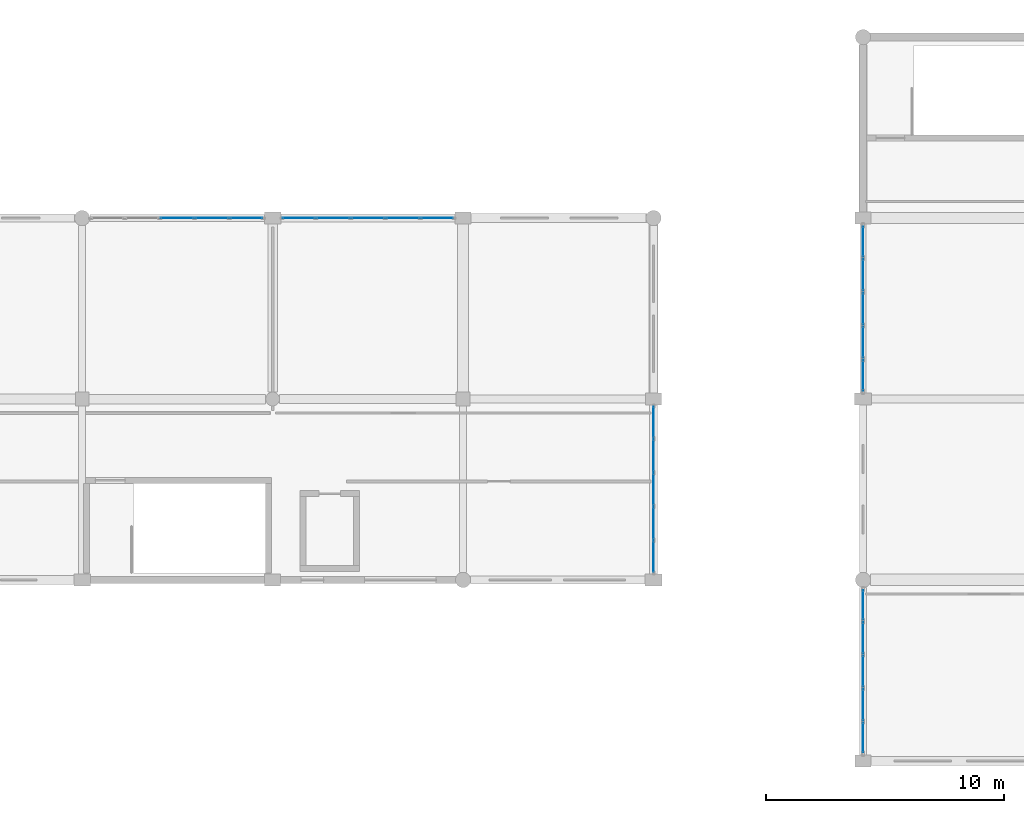
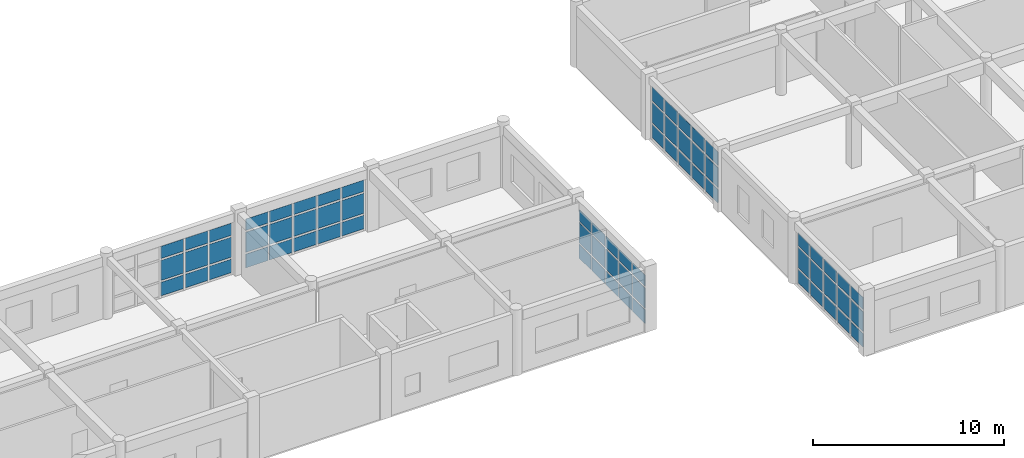
# One storey, part 93 of 121: 69 plates, 5 elements without a shape of their own.
"""IFC4 building model written with IfcOpenShell, lengths in metres."""

from ifc_helpers import new_model, si_unit, direction, frame, origin, origin_2d, place, context, subcontext, project, spatial, rectangle, extrude, material, layer, layer_set, type_object, element, aggregate, save


model = new_model("IFC4")

# Units and contexts
model_context = context("Model", 3, precision=1e-05, world=origin(), true_north=direction((0.0, 1.0)))
body_context = subcontext(model_context, "Body", "Model", "MODEL_VIEW")
ifc_project = project(units=[si_unit("LENGTHUNIT", "METRE"), si_unit("AREAUNIT", "SQUARE_METRE"), si_unit("VOLUMEUNIT", "CUBIC_METRE"), si_unit("PLANEANGLEUNIT", "RADIAN"), si_unit("MASSUNIT", "GRAM", prefix="KILO")], contexts=[model_context])

# Site, building, storey
site_placement = place(None, origin())
site = spatial("IfcSite", under=ifc_project, at=site_placement, CompositionType="ELEMENT")
building_placement = place(site_placement, origin())
building = spatial("IfcBuilding", under=site, at=building_placement, Name="Kharva Crest Polytechnic", CompositionType="ELEMENT")
storey_placement = place(building_placement, frame((0.0, 0.0, 13.199951171875)))
storey = spatial("IfcBuildingStorey", under=building, at=storey_placement, Name="L03", CompositionType="ELEMENT", Elevation=13.199951171875)

# Curtain wall, plates
ifc_material = material(Name="Tempered insulated glass", Category="glass")
curtain_wall_type_1 = type_object("IfcCurtainWallType", Name="CW-SYS-COURT", PredefinedType="USERDEFINED", material=ifc_material)
curtain_wall_1_placement = place(storey_placement, origin())
curtain_wall_1 = element("IfcCurtainWall", 1, at=curtain_wall_1_placement, inside=storey, type_object=curtain_wall_type_1, Name="L03 Glazed Curtain Wall CW-135", ObjectType="CURTAIN WALL", PredefinedType="USERDEFINED")
ifc_layer_1 = layer(ifc_material, 0.02392578125, Name="Tempered insulated glass")
ifc_layer_set_1 = layer_set([ifc_layer_1], Name="Tempered insulated glass")
plate_type_1 = type_object("IfcPlateType", Name="CWP-GLZ-24", PredefinedType="CURTAIN_PANEL", material=ifc_layer_set_1)
plate_1_placement = place(storey_placement, frame((112.0, 8.583984375, 0.119873046875), z_axis=(0.0, 0.0, 1.0), x_axis=(0.0, 1.0, 0.0)))
plate_1 = element("IfcPlate", 2, at=plate_1_placement, type_object=plate_type_1, Name="CW-135 panel 1.1", PredefinedType="CURTAIN_PANEL", context=body_context, shape_type="SweptSolid", body=[
    extrude(rectangle(XDim=1.298095703125, YDim=0.02392578125, at=origin_2d()), origin(), (0.0, 0.0, 1.0), 0.8701171875),
])
plate_2_placement = place(storey_placement, frame((112.0, 8.583984375, 1.10986328125), z_axis=(0.0, 0.0, 1.0), x_axis=(0.0, 1.0, 0.0)))
plate_2 = element("IfcPlate", 3, at=plate_2_placement, type_object=plate_type_1, Name="CW-135 panel 1.2", PredefinedType="CURTAIN_PANEL", context=body_context, shape_type="SweptSolid", body=[
    extrude(rectangle(XDim=1.298095703125, YDim=0.02392578125, at=origin_2d()), origin(), (0.0, 0.0, 1.0), 1.280029296875),
])
plate_3_placement = place(storey_placement, frame((112.0, 8.583984375, 2.510009765625), z_axis=(0.0, 0.0, 1.0), x_axis=(0.0, 1.0, 0.0)))
plate_3 = element("IfcPlate", 4, at=plate_3_placement, type_object=plate_type_1, Name="CW-135 panel 1.3", PredefinedType="CURTAIN_PANEL", context=body_context, shape_type="SweptSolid", body=[
    extrude(rectangle(XDim=1.298095703125, YDim=0.02392578125, at=origin_2d()), origin(), (0.0, 0.0, 1.0), 0.7099609375),
])
plate_4_placement = place(storey_placement, frame((112.0, 9.98193359375, 0.119873046875), z_axis=(0.0, 0.0, 1.0), x_axis=(0.0, 1.0, 0.0)))
plate_4 = element("IfcPlate", 5, at=plate_4_placement, type_object=plate_type_1, Name="CW-135 panel 2.1", PredefinedType="CURTAIN_PANEL", context=body_context, shape_type="SweptSolid", body=[
    extrude(rectangle(XDim=1.337890625, YDim=0.02392578125, at=origin_2d()), origin(), (0.0, 0.0, 1.0), 0.8701171875),
])
plate_5_placement = place(storey_placement, frame((112.0, 9.98193359375, 1.10986328125), z_axis=(0.0, 0.0, 1.0), x_axis=(0.0, 1.0, 0.0)))
plate_5 = element("IfcPlate", 6, at=plate_5_placement, type_object=plate_type_1, Name="CW-135 panel 2.2", PredefinedType="CURTAIN_PANEL", context=body_context, shape_type="SweptSolid", body=[
    extrude(rectangle(XDim=1.337890625, YDim=0.02392578125, at=origin_2d()), origin(), (0.0, 0.0, 1.0), 1.280029296875),
])
plate_6_placement = place(storey_placement, frame((112.0, 9.98193359375, 2.510009765625), z_axis=(0.0, 0.0, 1.0), x_axis=(0.0, 1.0, 0.0)))
plate_6 = element("IfcPlate", 7, at=plate_6_placement, type_object=plate_type_1, Name="CW-135 panel 2.3", PredefinedType="CURTAIN_PANEL", context=body_context, shape_type="SweptSolid", body=[
    extrude(rectangle(XDim=1.337890625, YDim=0.02392578125, at=origin_2d()), origin(), (0.0, 0.0, 1.0), 0.7099609375),
])
plate_7_placement = place(storey_placement, frame((112.0, 11.39990234375, 0.119873046875), z_axis=(0.0, 0.0, 1.0), x_axis=(0.0, 1.0, 0.0)))
plate_7 = element("IfcPlate", 8, at=plate_7_placement, type_object=plate_type_1, Name="CW-135 panel 3.1", PredefinedType="CURTAIN_PANEL", context=body_context, shape_type="SweptSolid", body=[
    extrude(rectangle(XDim=1.337890625, YDim=0.02392578125, at=origin_2d()), origin(), (0.0, 0.0, 1.0), 0.8701171875),
])
plate_8_placement = place(storey_placement, frame((112.0, 11.39990234375, 1.10986328125), z_axis=(0.0, 0.0, 1.0), x_axis=(0.0, 1.0, 0.0)))
plate_8 = element("IfcPlate", 9, at=plate_8_placement, type_object=plate_type_1, Name="CW-135 panel 3.2", PredefinedType="CURTAIN_PANEL", context=body_context, shape_type="SweptSolid", body=[
    extrude(rectangle(XDim=1.337890625, YDim=0.02392578125, at=origin_2d()), origin(), (0.0, 0.0, 1.0), 1.280029296875),
])
plate_9_placement = place(storey_placement, frame((112.0, 11.39990234375, 2.510009765625), z_axis=(0.0, 0.0, 1.0), x_axis=(0.0, 1.0, 0.0)))
plate_9 = element("IfcPlate", 10, at=plate_9_placement, type_object=plate_type_1, Name="CW-135 panel 3.3", PredefinedType="CURTAIN_PANEL", context=body_context, shape_type="SweptSolid", body=[
    extrude(rectangle(XDim=1.337890625, YDim=0.02392578125, at=origin_2d()), origin(), (0.0, 0.0, 1.0), 0.7099609375),
])
plate_10_placement = place(storey_placement, frame((112.0, 12.818115234375, 0.119873046875), z_axis=(0.0, 0.0, 1.0), x_axis=(0.0, 1.0, 0.0)))
plate_10 = element("IfcPlate", 11, at=plate_10_placement, type_object=plate_type_1, Name="CW-135 panel 4.1", PredefinedType="CURTAIN_PANEL", context=body_context, shape_type="SweptSolid", body=[
    extrude(rectangle(XDim=1.337890625, YDim=0.02392578125, at=origin_2d()), origin(), (0.0, 0.0, 1.0), 0.8701171875),
])
plate_11_placement = place(storey_placement, frame((112.0, 12.818115234375, 1.10986328125), z_axis=(0.0, 0.0, 1.0), x_axis=(0.0, 1.0, 0.0)))
plate_11 = element("IfcPlate", 12, at=plate_11_placement, type_object=plate_type_1, Name="CW-135 panel 4.2", PredefinedType="CURTAIN_PANEL", context=body_context, shape_type="SweptSolid", body=[
    extrude(rectangle(XDim=1.337890625, YDim=0.02392578125, at=origin_2d()), origin(), (0.0, 0.0, 1.0), 1.280029296875),
])
plate_12_placement = place(storey_placement, frame((112.0, 12.818115234375, 2.510009765625), z_axis=(0.0, 0.0, 1.0), x_axis=(0.0, 1.0, 0.0)))
plate_12 = element("IfcPlate", 13, at=plate_12_placement, type_object=plate_type_1, Name="CW-135 panel 4.3", PredefinedType="CURTAIN_PANEL", context=body_context, shape_type="SweptSolid", body=[
    extrude(rectangle(XDim=1.337890625, YDim=0.02392578125, at=origin_2d()), origin(), (0.0, 0.0, 1.0), 0.7099609375),
])
plate_13_placement = place(storey_placement, frame((112.0, 14.216064453125, 0.119873046875), z_axis=(0.0, 0.0, 1.0), x_axis=(0.0, 1.0, 0.0)))
plate_13 = element("IfcPlate", 14, at=plate_13_placement, type_object=plate_type_1, Name="CW-135 panel 5.1", PredefinedType="CURTAIN_PANEL", context=body_context, shape_type="SweptSolid", body=[
    extrude(rectangle(XDim=1.298095703125, YDim=0.02392578125, at=origin_2d()), origin(), (0.0, 0.0, 1.0), 0.8701171875),
])
plate_14_placement = place(storey_placement, frame((112.0, 14.216064453125, 1.10986328125), z_axis=(0.0, 0.0, 1.0), x_axis=(0.0, 1.0, 0.0)))
plate_14 = element("IfcPlate", 15, at=plate_14_placement, type_object=plate_type_1, Name="CW-135 panel 5.2", PredefinedType="CURTAIN_PANEL", context=body_context, shape_type="SweptSolid", body=[
    extrude(rectangle(XDim=1.298095703125, YDim=0.02392578125, at=origin_2d()), origin(), (0.0, 0.0, 1.0), 1.280029296875),
])
plate_15_placement = place(storey_placement, frame((112.0, 14.216064453125, 2.510009765625), z_axis=(0.0, 0.0, 1.0), x_axis=(0.0, 1.0, 0.0)))
plate_15 = element("IfcPlate", 16, at=plate_15_placement, type_object=plate_type_1, Name="CW-135 panel 5.3", PredefinedType="CURTAIN_PANEL", context=body_context, shape_type="SweptSolid", body=[
    extrude(rectangle(XDim=1.298095703125, YDim=0.02392578125, at=origin_2d()), origin(), (0.0, 0.0, 1.0), 0.7099609375),
])
aggregate(curtain_wall_1, [plate_1, plate_2, plate_3, plate_4, plate_5, plate_6, plate_7, plate_8, plate_9, plate_10, plate_11, plate_12, plate_13, plate_14, plate_15])

curtain_wall_2_placement = place(storey_placement, origin())
curtain_wall_2 = element("IfcCurtainWall", 17, at=curtain_wall_2_placement, inside=storey, type_object=curtain_wall_type_1, Name="L03 Glazed Curtain Wall CW-136", ObjectType="CURTAIN WALL", PredefinedType="USERDEFINED")
plate_16_placement = place(storey_placement, frame((102.905029296875, 22.800048828125, 0.119873046875), z_axis=(0.0, 0.0, 1.0), x_axis=(-1.0, 0.0, 0.0)))
plate_16 = element("IfcPlate", 18, at=plate_16_placement, type_object=plate_type_1, Name="CW-136 panel 1.1", PredefinedType="CURTAIN_PANEL", context=body_context, shape_type="SweptSolid", body=[
    extrude(rectangle(XDim=1.340087890625, YDim=0.02392578125, at=origin_2d()), origin(), (0.0, 0.0, 1.0), 0.8701171875),
])
plate_17_placement = place(storey_placement, frame((102.905029296875, 22.800048828125, 1.10986328125), z_axis=(0.0, 0.0, 1.0), x_axis=(-1.0, 0.0, 0.0)))
plate_17 = element("IfcPlate", 19, at=plate_17_placement, type_object=plate_type_1, Name="CW-136 panel 1.2", PredefinedType="CURTAIN_PANEL", context=body_context, shape_type="SweptSolid", body=[
    extrude(rectangle(XDim=1.340087890625, YDim=0.02392578125, at=origin_2d()), origin(), (0.0, 0.0, 1.0), 1.280029296875),
])
plate_18_placement = place(storey_placement, frame((102.905029296875, 22.800048828125, 2.510009765625), z_axis=(0.0, 0.0, 1.0), x_axis=(-1.0, 0.0, 0.0)))
plate_18 = element("IfcPlate", 20, at=plate_18_placement, type_object=plate_type_1, Name="CW-136 panel 1.3", PredefinedType="CURTAIN_PANEL", context=body_context, shape_type="SweptSolid", body=[
    extrude(rectangle(XDim=1.340087890625, YDim=0.02392578125, at=origin_2d()), origin(), (0.0, 0.0, 1.0), 0.72998046875),
])
plate_19_placement = place(storey_placement, frame((101.465087890625, 22.800048828125, 0.119873046875), z_axis=(0.0, 0.0, 1.0), x_axis=(-1.0, 0.0, 0.0)))
plate_19 = element("IfcPlate", 21, at=plate_19_placement, type_object=plate_type_1, Name="CW-136 panel 2.1", PredefinedType="CURTAIN_PANEL", context=body_context, shape_type="SweptSolid", body=[
    extrude(rectangle(XDim=1.3798828125, YDim=0.02392578125, at=origin_2d()), origin(), (0.0, 0.0, 1.0), 0.8701171875),
])
plate_20_placement = place(storey_placement, frame((101.465087890625, 22.800048828125, 1.10986328125), z_axis=(0.0, 0.0, 1.0), x_axis=(-1.0, 0.0, 0.0)))
plate_20 = element("IfcPlate", 22, at=plate_20_placement, type_object=plate_type_1, Name="CW-136 panel 2.2", PredefinedType="CURTAIN_PANEL", context=body_context, shape_type="SweptSolid", body=[
    extrude(rectangle(XDim=1.3798828125, YDim=0.02392578125, at=origin_2d()), origin(), (0.0, 0.0, 1.0), 1.280029296875),
])
plate_21_placement = place(storey_placement, frame((101.465087890625, 22.800048828125, 2.510009765625), z_axis=(0.0, 0.0, 1.0), x_axis=(-1.0, 0.0, 0.0)))
plate_21 = element("IfcPlate", 23, at=plate_21_placement, type_object=plate_type_1, Name="CW-136 panel 2.3", PredefinedType="CURTAIN_PANEL", context=body_context, shape_type="SweptSolid", body=[
    extrude(rectangle(XDim=1.3798828125, YDim=0.02392578125, at=origin_2d()), origin(), (0.0, 0.0, 1.0), 0.72998046875),
])
plate_22_placement = place(storey_placement, frame((100.0048828125, 22.800048828125, 0.119873046875), z_axis=(0.0, 0.0, 1.0), x_axis=(-1.0, 0.0, 0.0)))
plate_22 = element("IfcPlate", 24, at=plate_22_placement, type_object=plate_type_1, Name="CW-136 panel 3.1", PredefinedType="CURTAIN_PANEL", context=body_context, shape_type="SweptSolid", body=[
    extrude(rectangle(XDim=1.3798828125, YDim=0.02392578125, at=origin_2d()), origin(), (0.0, 0.0, 1.0), 0.8701171875),
])
plate_23_placement = place(storey_placement, frame((100.0048828125, 22.800048828125, 1.10986328125), z_axis=(0.0, 0.0, 1.0), x_axis=(-1.0, 0.0, 0.0)))
plate_23 = element("IfcPlate", 25, at=plate_23_placement, type_object=plate_type_1, Name="CW-136 panel 3.2", PredefinedType="CURTAIN_PANEL", context=body_context, shape_type="SweptSolid", body=[
    extrude(rectangle(XDim=1.3798828125, YDim=0.02392578125, at=origin_2d()), origin(), (0.0, 0.0, 1.0), 1.280029296875),
])
plate_24_placement = place(storey_placement, frame((100.0048828125, 22.800048828125, 2.510009765625), z_axis=(0.0, 0.0, 1.0), x_axis=(-1.0, 0.0, 0.0)))
plate_24 = element("IfcPlate", 26, at=plate_24_placement, type_object=plate_type_1, Name="CW-136 panel 3.3", PredefinedType="CURTAIN_PANEL", context=body_context, shape_type="SweptSolid", body=[
    extrude(rectangle(XDim=1.3798828125, YDim=0.02392578125, at=origin_2d()), origin(), (0.0, 0.0, 1.0), 0.72998046875),
])
plate_25_placement = place(storey_placement, frame((98.544921875, 22.800048828125, 0.119873046875), z_axis=(0.0, 0.0, 1.0), x_axis=(-1.0, 0.0, 0.0)))
plate_25 = element("IfcPlate", 27, at=plate_25_placement, type_object=plate_type_1, Name="CW-136 panel 4.1", PredefinedType="CURTAIN_PANEL", context=body_context, shape_type="SweptSolid", body=[
    extrude(rectangle(XDim=1.3798828125, YDim=0.02392578125, at=origin_2d()), origin(), (0.0, 0.0, 1.0), 0.8701171875),
])
plate_26_placement = place(storey_placement, frame((98.544921875, 22.800048828125, 1.10986328125), z_axis=(0.0, 0.0, 1.0), x_axis=(-1.0, 0.0, 0.0)))
plate_26 = element("IfcPlate", 28, at=plate_26_placement, type_object=plate_type_1, Name="CW-136 panel 4.2", PredefinedType="CURTAIN_PANEL", context=body_context, shape_type="SweptSolid", body=[
    extrude(rectangle(XDim=1.3798828125, YDim=0.02392578125, at=origin_2d()), origin(), (0.0, 0.0, 1.0), 1.280029296875),
])
plate_27_placement = place(storey_placement, frame((98.544921875, 22.800048828125, 2.510009765625), z_axis=(0.0, 0.0, 1.0), x_axis=(-1.0, 0.0, 0.0)))
plate_27 = element("IfcPlate", 29, at=plate_27_placement, type_object=plate_type_1, Name="CW-136 panel 4.3", PredefinedType="CURTAIN_PANEL", context=body_context, shape_type="SweptSolid", body=[
    extrude(rectangle(XDim=1.3798828125, YDim=0.02392578125, at=origin_2d()), origin(), (0.0, 0.0, 1.0), 0.72998046875),
])
plate_28_placement = place(storey_placement, frame((97.10498046875, 22.800048828125, 0.119873046875), z_axis=(0.0, 0.0, 1.0), x_axis=(-1.0, 0.0, 0.0)))
plate_28 = element("IfcPlate", 30, at=plate_28_placement, type_object=plate_type_1, Name="CW-136 panel 5.1", PredefinedType="CURTAIN_PANEL", context=body_context, shape_type="SweptSolid", body=[
    extrude(rectangle(XDim=1.340087890625, YDim=0.02392578125, at=origin_2d()), origin(), (0.0, 0.0, 1.0), 0.8701171875),
])
plate_29_placement = place(storey_placement, frame((97.10498046875, 22.800048828125, 1.10986328125), z_axis=(0.0, 0.0, 1.0), x_axis=(-1.0, 0.0, 0.0)))
plate_29 = element("IfcPlate", 31, at=plate_29_placement, type_object=plate_type_1, Name="CW-136 panel 5.2", PredefinedType="CURTAIN_PANEL", context=body_context, shape_type="SweptSolid", body=[
    extrude(rectangle(XDim=1.340087890625, YDim=0.02392578125, at=origin_2d()), origin(), (0.0, 0.0, 1.0), 1.280029296875),
])
plate_30_placement = place(storey_placement, frame((97.10498046875, 22.800048828125, 2.510009765625), z_axis=(0.0, 0.0, 1.0), x_axis=(-1.0, 0.0, 0.0)))
plate_30 = element("IfcPlate", 32, at=plate_30_placement, type_object=plate_type_1, Name="CW-136 panel 5.3", PredefinedType="CURTAIN_PANEL", context=body_context, shape_type="SweptSolid", body=[
    extrude(rectangle(XDim=1.340087890625, YDim=0.02392578125, at=origin_2d()), origin(), (0.0, 0.0, 1.0), 0.72998046875),
])
aggregate(curtain_wall_2, [plate_16, plate_17, plate_18, plate_19, plate_20, plate_21, plate_22, plate_23, plate_24, plate_25, plate_26, plate_27, plate_28, plate_29, plate_30])

curtain_wall_3_placement = place(storey_placement, origin())
curtain_wall_3 = element("IfcCurtainWall", 33, at=curtain_wall_3_placement, inside=storey, type_object=curtain_wall_type_1, Name="L03 Glazed Curtain Wall CW-137", ObjectType="CURTAIN WALL", PredefinedType="USERDEFINED")
plate_31_placement = place(storey_placement, frame((94.89306640625, 22.800048828125, 0.119873046875), z_axis=(0.0, 0.0, 1.0), x_axis=(-1.0, 0.0, 0.0)))
plate_31 = element("IfcPlate", 34, at=plate_31_placement, type_object=plate_type_1, Name="CW-137 panel 1.1", PredefinedType="CURTAIN_PANEL", context=body_context, shape_type="SweptSolid", body=[
    extrude(rectangle(XDim=1.343994140625, YDim=0.02392578125, at=origin_2d()), origin(), (0.0, 0.0, 1.0), 0.8701171875),
])
plate_32_placement = place(storey_placement, frame((94.89306640625, 22.800048828125, 1.10986328125), z_axis=(0.0, 0.0, 1.0), x_axis=(-1.0, 0.0, 0.0)))
plate_32 = element("IfcPlate", 35, at=plate_32_placement, type_object=plate_type_1, Name="CW-137 panel 1.2", PredefinedType="CURTAIN_PANEL", context=body_context, shape_type="SweptSolid", body=[
    extrude(rectangle(XDim=1.343994140625, YDim=0.02392578125, at=origin_2d()), origin(), (0.0, 0.0, 1.0), 1.280029296875),
])
plate_33_placement = place(storey_placement, frame((94.89306640625, 22.800048828125, 2.51025390625), z_axis=(0.0, 0.0, 1.0), x_axis=(-1.0, 0.0, 0.0)))
plate_33 = element("IfcPlate", 36, at=plate_33_placement, type_object=plate_type_1, Name="CW-137 panel 1.3", PredefinedType="CURTAIN_PANEL", context=body_context, shape_type="SweptSolid", body=[
    extrude(rectangle(XDim=1.343994140625, YDim=0.02392578125, at=origin_2d()), origin(), (0.0, 0.0, 1.0), 0.780029296875),
])
plate_34_placement = place(storey_placement, frame((93.448974609375, 22.800048828125, 0.119873046875), z_axis=(0.0, 0.0, 1.0), x_axis=(-1.0, 0.0, 0.0)))
plate_34 = element("IfcPlate", 37, at=plate_34_placement, type_object=plate_type_1, Name="CW-137 panel 2.1", PredefinedType="CURTAIN_PANEL", context=body_context, shape_type="SweptSolid", body=[
    extrude(rectangle(XDim=1.384033203125, YDim=0.02392578125, at=origin_2d()), origin(), (0.0, 0.0, 1.0), 0.8701171875),
])
plate_35_placement = place(storey_placement, frame((93.448974609375, 22.800048828125, 1.10986328125), z_axis=(0.0, 0.0, 1.0), x_axis=(-1.0, 0.0, 0.0)))
plate_35 = element("IfcPlate", 38, at=plate_35_placement, type_object=plate_type_1, Name="CW-137 panel 2.2", PredefinedType="CURTAIN_PANEL", context=body_context, shape_type="SweptSolid", body=[
    extrude(rectangle(XDim=1.384033203125, YDim=0.02392578125, at=origin_2d()), origin(), (0.0, 0.0, 1.0), 1.280029296875),
])
plate_36_placement = place(storey_placement, frame((93.448974609375, 22.800048828125, 2.51025390625), z_axis=(0.0, 0.0, 1.0), x_axis=(-1.0, 0.0, 0.0)))
plate_36 = element("IfcPlate", 39, at=plate_36_placement, type_object=plate_type_1, Name="CW-137 panel 2.3", PredefinedType="CURTAIN_PANEL", context=body_context, shape_type="SweptSolid", body=[
    extrude(rectangle(XDim=1.384033203125, YDim=0.02392578125, at=origin_2d()), origin(), (0.0, 0.0, 1.0), 0.780029296875),
])
plate_37_placement = place(storey_placement, frame((91.985107421875, 22.800048828125, 0.119873046875), z_axis=(0.0, 0.0, 1.0), x_axis=(-1.0, 0.0, 0.0)))
plate_37 = element("IfcPlate", 40, at=plate_37_placement, type_object=plate_type_1, Name="CW-137 panel 3.1", PredefinedType="CURTAIN_PANEL", context=body_context, shape_type="SweptSolid", body=[
    extrude(rectangle(XDim=1.384033203125, YDim=0.02392578125, at=origin_2d()), origin(), (0.0, 0.0, 1.0), 0.8701171875),
])
plate_38_placement = place(storey_placement, frame((91.985107421875, 22.800048828125, 1.10986328125), z_axis=(0.0, 0.0, 1.0), x_axis=(-1.0, 0.0, 0.0)))
plate_38 = element("IfcPlate", 41, at=plate_38_placement, type_object=plate_type_1, Name="CW-137 panel 3.2", PredefinedType="CURTAIN_PANEL", context=body_context, shape_type="SweptSolid", body=[
    extrude(rectangle(XDim=1.384033203125, YDim=0.02392578125, at=origin_2d()), origin(), (0.0, 0.0, 1.0), 1.280029296875),
])
plate_39_placement = place(storey_placement, frame((91.985107421875, 22.800048828125, 2.51025390625), z_axis=(0.0, 0.0, 1.0), x_axis=(-1.0, 0.0, 0.0)))
plate_39 = element("IfcPlate", 42, at=plate_39_placement, type_object=plate_type_1, Name="CW-137 panel 3.3", PredefinedType="CURTAIN_PANEL", context=body_context, shape_type="SweptSolid", body=[
    extrude(rectangle(XDim=1.384033203125, YDim=0.02392578125, at=origin_2d()), origin(), (0.0, 0.0, 1.0), 0.780029296875),
])
aggregate(curtain_wall_3, [plate_31, plate_32, plate_33, plate_34, plate_35, plate_36, plate_37, plate_38, plate_39])

curtain_wall_type_2 = type_object("IfcCurtainWallType", Name="CW-SYS-REFECTORY", PredefinedType="USERDEFINED", material=ifc_material)
curtain_wall_4_placement = place(storey_placement, origin())
curtain_wall_4 = element("IfcCurtainWall", 43, at=curtain_wall_4_placement, inside=storey, type_object=curtain_wall_type_2, Name="L03 Glazed Curtain Wall CW-139", ObjectType="CURTAIN WALL", PredefinedType="USERDEFINED")
ifc_layer_2 = layer(ifc_material, 0.030029296875, Name="Tempered insulated glass")
ifc_layer_set_2 = layer_set([ifc_layer_2], Name="Tempered insulated glass")
plate_type_2 = type_object("IfcPlateType", Name="CWP-GLZ-30", PredefinedType="CURTAIN_PANEL", material=ifc_layer_set_2)
plate_40_placement = place(storey_placement, frame((120.800048828125, 21.81103515625, 0.14013671875), z_axis=(0.0, 0.0, 1.0), x_axis=(0.0, -1.0, 0.0)))
plate_40 = element("IfcPlate", 44, at=plate_40_placement, type_object=plate_type_2, Name="CW-139 panel 1.1", PredefinedType="CURTAIN_PANEL", context=body_context, shape_type="SweptSolid", body=[
    extrude(rectangle(XDim=1.26806640625, YDim=0.030029296875, at=origin_2d()), origin(), (0.0, 0.0, 1.0), 0.840087890625),
])
plate_41_placement = place(storey_placement, frame((120.800048828125, 21.81103515625, 1.1201171875), z_axis=(0.0, 0.0, 1.0), x_axis=(0.0, -1.0, 0.0)))
plate_41 = element("IfcPlate", 45, at=plate_41_placement, type_object=plate_type_2, Name="CW-139 panel 1.2", PredefinedType="CURTAIN_PANEL", context=body_context, shape_type="SweptSolid", body=[
    extrude(rectangle(XDim=1.26806640625, YDim=0.030029296875, at=origin_2d()), origin(), (0.0, 0.0, 1.0), 1.260009765625),
])
plate_42_placement = place(storey_placement, frame((120.800048828125, 21.81103515625, 2.52001953125), z_axis=(0.0, 0.0, 1.0), x_axis=(0.0, -1.0, 0.0)))
plate_42 = element("IfcPlate", 46, at=plate_42_placement, type_object=plate_type_2, Name="CW-139 panel 1.3", PredefinedType="CURTAIN_PANEL", context=body_context, shape_type="SweptSolid", body=[
    extrude(rectangle(XDim=1.26806640625, YDim=0.030029296875, at=origin_2d()), origin(), (0.0, 0.0, 1.0), 0.860107421875),
])
plate_43_placement = place(storey_placement, frame((120.800048828125, 20.41796875, 0.14013671875), z_axis=(0.0, 0.0, 1.0), x_axis=(0.0, -1.0, 0.0)))
plate_43 = element("IfcPlate", 47, at=plate_43_placement, type_object=plate_type_2, Name="CW-139 panel 2.1", PredefinedType="CURTAIN_PANEL", context=body_context, shape_type="SweptSolid", body=[
    extrude(rectangle(XDim=1.318115234375, YDim=0.030029296875, at=origin_2d()), origin(), (0.0, 0.0, 1.0), 0.840087890625),
])
plate_44_placement = place(storey_placement, frame((120.800048828125, 20.41796875, 1.1201171875), z_axis=(0.0, 0.0, 1.0), x_axis=(0.0, -1.0, 0.0)))
plate_44 = element("IfcPlate", 48, at=plate_44_placement, type_object=plate_type_2, Name="CW-139 panel 2.2", PredefinedType="CURTAIN_PANEL", context=body_context, shape_type="SweptSolid", body=[
    extrude(rectangle(XDim=1.318115234375, YDim=0.030029296875, at=origin_2d()), origin(), (0.0, 0.0, 1.0), 1.260009765625),
])
plate_45_placement = place(storey_placement, frame((120.800048828125, 20.41796875, 2.52001953125), z_axis=(0.0, 0.0, 1.0), x_axis=(0.0, -1.0, 0.0)))
plate_45 = element("IfcPlate", 49, at=plate_45_placement, type_object=plate_type_2, Name="CW-139 panel 2.3", PredefinedType="CURTAIN_PANEL", context=body_context, shape_type="SweptSolid", body=[
    extrude(rectangle(XDim=1.318115234375, YDim=0.030029296875, at=origin_2d()), origin(), (0.0, 0.0, 1.0), 0.860107421875),
])
plate_46_placement = place(storey_placement, frame((120.800048828125, 19.0, 0.14013671875), z_axis=(0.0, 0.0, 1.0), x_axis=(0.0, -1.0, 0.0)))
plate_46 = element("IfcPlate", 50, at=plate_46_placement, type_object=plate_type_2, Name="CW-139 panel 3.1", PredefinedType="CURTAIN_PANEL", context=body_context, shape_type="SweptSolid", body=[
    extrude(rectangle(XDim=1.318115234375, YDim=0.030029296875, at=origin_2d()), origin(), (0.0, 0.0, 1.0), 0.840087890625),
])
plate_47_placement = place(storey_placement, frame((120.800048828125, 19.0, 1.1201171875), z_axis=(0.0, 0.0, 1.0), x_axis=(0.0, -1.0, 0.0)))
plate_47 = element("IfcPlate", 51, at=plate_47_placement, type_object=plate_type_2, Name="CW-139 panel 3.2", PredefinedType="CURTAIN_PANEL", context=body_context, shape_type="SweptSolid", body=[
    extrude(rectangle(XDim=1.318115234375, YDim=0.030029296875, at=origin_2d()), origin(), (0.0, 0.0, 1.0), 1.260009765625),
])
plate_48_placement = place(storey_placement, frame((120.800048828125, 19.0, 2.52001953125), z_axis=(0.0, 0.0, 1.0), x_axis=(0.0, -1.0, 0.0)))
plate_48 = element("IfcPlate", 52, at=plate_48_placement, type_object=plate_type_2, Name="CW-139 panel 3.3", PredefinedType="CURTAIN_PANEL", context=body_context, shape_type="SweptSolid", body=[
    extrude(rectangle(XDim=1.318115234375, YDim=0.030029296875, at=origin_2d()), origin(), (0.0, 0.0, 1.0), 0.860107421875),
])
plate_49_placement = place(storey_placement, frame((120.800048828125, 17.58203125, 0.14013671875), z_axis=(0.0, 0.0, 1.0), x_axis=(0.0, -1.0, 0.0)))
plate_49 = element("IfcPlate", 53, at=plate_49_placement, type_object=plate_type_2, Name="CW-139 panel 4.1", PredefinedType="CURTAIN_PANEL", context=body_context, shape_type="SweptSolid", body=[
    extrude(rectangle(XDim=1.318115234375, YDim=0.030029296875, at=origin_2d()), origin(), (0.0, 0.0, 1.0), 0.840087890625),
])
plate_50_placement = place(storey_placement, frame((120.800048828125, 17.58203125, 1.1201171875), z_axis=(0.0, 0.0, 1.0), x_axis=(0.0, -1.0, 0.0)))
plate_50 = element("IfcPlate", 54, at=plate_50_placement, type_object=plate_type_2, Name="CW-139 panel 4.2", PredefinedType="CURTAIN_PANEL", context=body_context, shape_type="SweptSolid", body=[
    extrude(rectangle(XDim=1.318115234375, YDim=0.030029296875, at=origin_2d()), origin(), (0.0, 0.0, 1.0), 1.260009765625),
])
plate_51_placement = place(storey_placement, frame((120.800048828125, 17.58203125, 2.52001953125), z_axis=(0.0, 0.0, 1.0), x_axis=(0.0, -1.0, 0.0)))
plate_51 = element("IfcPlate", 55, at=plate_51_placement, type_object=plate_type_2, Name="CW-139 panel 4.3", PredefinedType="CURTAIN_PANEL", context=body_context, shape_type="SweptSolid", body=[
    extrude(rectangle(XDim=1.318115234375, YDim=0.030029296875, at=origin_2d()), origin(), (0.0, 0.0, 1.0), 0.860107421875),
])
plate_52_placement = place(storey_placement, frame((120.800048828125, 16.18896484375, 0.14013671875), z_axis=(0.0, 0.0, 1.0), x_axis=(0.0, -1.0, 0.0)))
plate_52 = element("IfcPlate", 56, at=plate_52_placement, type_object=plate_type_2, Name="CW-139 panel 5.1", PredefinedType="CURTAIN_PANEL", context=body_context, shape_type="SweptSolid", body=[
    extrude(rectangle(XDim=1.26806640625, YDim=0.030029296875, at=origin_2d()), origin(), (0.0, 0.0, 1.0), 0.840087890625),
])
plate_53_placement = place(storey_placement, frame((120.800048828125, 16.18896484375, 1.1201171875), z_axis=(0.0, 0.0, 1.0), x_axis=(0.0, -1.0, 0.0)))
plate_53 = element("IfcPlate", 57, at=plate_53_placement, type_object=plate_type_2, Name="CW-139 panel 5.2", PredefinedType="CURTAIN_PANEL", context=body_context, shape_type="SweptSolid", body=[
    extrude(rectangle(XDim=1.26806640625, YDim=0.030029296875, at=origin_2d()), origin(), (0.0, 0.0, 1.0), 1.260009765625),
])
plate_54_placement = place(storey_placement, frame((120.800048828125, 16.18896484375, 2.52001953125), z_axis=(0.0, 0.0, 1.0), x_axis=(0.0, -1.0, 0.0)))
plate_54 = element("IfcPlate", 58, at=plate_54_placement, type_object=plate_type_2, Name="CW-139 panel 5.3", PredefinedType="CURTAIN_PANEL", context=body_context, shape_type="SweptSolid", body=[
    extrude(rectangle(XDim=1.26806640625, YDim=0.030029296875, at=origin_2d()), origin(), (0.0, 0.0, 1.0), 0.860107421875),
])
aggregate(curtain_wall_4, [plate_40, plate_41, plate_42, plate_43, plate_44, plate_45, plate_46, plate_47, plate_48, plate_49, plate_50, plate_51, plate_52, plate_53, plate_54])

curtain_wall_5_placement = place(storey_placement, origin())
curtain_wall_5 = element("IfcCurtainWall", 59, at=curtain_wall_5_placement, inside=storey, type_object=curtain_wall_type_2, Name="L03 Glazed Curtain Wall CW-140", ObjectType="CURTAIN WALL", PredefinedType="USERDEFINED")
plate_55_placement = place(storey_placement, frame((120.800048828125, 6.548095703125, 0.14013671875), z_axis=(0.0, 0.0, 1.0), x_axis=(0.0, -1.0, 0.0)))
plate_55 = element("IfcPlate", 60, at=plate_55_placement, type_object=plate_type_2, Name="CW-140 panel 1.1", PredefinedType="CURTAIN_PANEL", context=body_context, shape_type="SweptSolid", body=[
    extrude(rectangle(XDim=1.25390625, YDim=0.030029296875, at=origin_2d()), origin(), (0.0, 0.0, 1.0), 0.840087890625),
])
plate_56_placement = place(storey_placement, frame((120.800048828125, 6.548095703125, 1.1201171875), z_axis=(0.0, 0.0, 1.0), x_axis=(0.0, -1.0, 0.0)))
plate_56 = element("IfcPlate", 61, at=plate_56_placement, type_object=plate_type_2, Name="CW-140 panel 1.2", PredefinedType="CURTAIN_PANEL", context=body_context, shape_type="SweptSolid", body=[
    extrude(rectangle(XDim=1.25390625, YDim=0.030029296875, at=origin_2d()), origin(), (0.0, 0.0, 1.0), 1.260009765625),
])
plate_57_placement = place(storey_placement, frame((120.800048828125, 6.548095703125, 2.52001953125), z_axis=(0.0, 0.0, 1.0), x_axis=(0.0, -1.0, 0.0)))
plate_57 = element("IfcPlate", 62, at=plate_57_placement, type_object=plate_type_2, Name="CW-140 panel 1.3", PredefinedType="CURTAIN_PANEL", context=body_context, shape_type="SweptSolid", body=[
    extrude(rectangle(XDim=1.25390625, YDim=0.030029296875, at=origin_2d()), origin(), (0.0, 0.0, 1.0), 0.780029296875),
])
plate_58_placement = place(storey_placement, frame((120.800048828125, 5.1689453125, 0.14013671875), z_axis=(0.0, 0.0, 1.0), x_axis=(0.0, -1.0, 0.0)))
plate_58 = element("IfcPlate", 63, at=plate_58_placement, type_object=plate_type_2, Name="CW-140 panel 2.1", PredefinedType="CURTAIN_PANEL", context=body_context, shape_type="SweptSolid", body=[
    extrude(rectangle(XDim=1.303955078125, YDim=0.030029296875, at=origin_2d()), origin(), (0.0, 0.0, 1.0), 0.840087890625),
])
plate_59_placement = place(storey_placement, frame((120.800048828125, 5.1689453125, 1.1201171875), z_axis=(0.0, 0.0, 1.0), x_axis=(0.0, -1.0, 0.0)))
plate_59 = element("IfcPlate", 64, at=plate_59_placement, type_object=plate_type_2, Name="CW-140 panel 2.2", PredefinedType="CURTAIN_PANEL", context=body_context, shape_type="SweptSolid", body=[
    extrude(rectangle(XDim=1.303955078125, YDim=0.030029296875, at=origin_2d()), origin(), (0.0, 0.0, 1.0), 1.260009765625),
])
plate_60_placement = place(storey_placement, frame((120.800048828125, 5.1689453125, 2.52001953125), z_axis=(0.0, 0.0, 1.0), x_axis=(0.0, -1.0, 0.0)))
plate_60 = element("IfcPlate", 65, at=plate_60_placement, type_object=plate_type_2, Name="CW-140 panel 2.3", PredefinedType="CURTAIN_PANEL", context=body_context, shape_type="SweptSolid", body=[
    extrude(rectangle(XDim=1.303955078125, YDim=0.030029296875, at=origin_2d()), origin(), (0.0, 0.0, 1.0), 0.780029296875),
])
plate_61_placement = place(storey_placement, frame((120.800048828125, 3.764892578125, 0.14013671875), z_axis=(0.0, 0.0, 1.0), x_axis=(0.0, -1.0, 0.0)))
plate_61 = element("IfcPlate", 66, at=plate_61_placement, type_object=plate_type_2, Name="CW-140 panel 3.1", PredefinedType="CURTAIN_PANEL", context=body_context, shape_type="SweptSolid", body=[
    extrude(rectangle(XDim=1.303955078125, YDim=0.030029296875, at=origin_2d()), origin(), (0.0, 0.0, 1.0), 0.840087890625),
])
plate_62_placement = place(storey_placement, frame((120.800048828125, 3.764892578125, 1.1201171875), z_axis=(0.0, 0.0, 1.0), x_axis=(0.0, -1.0, 0.0)))
plate_62 = element("IfcPlate", 67, at=plate_62_placement, type_object=plate_type_2, Name="CW-140 panel 3.2", PredefinedType="CURTAIN_PANEL", context=body_context, shape_type="SweptSolid", body=[
    extrude(rectangle(XDim=1.303955078125, YDim=0.030029296875, at=origin_2d()), origin(), (0.0, 0.0, 1.0), 1.260009765625),
])
plate_63_placement = place(storey_placement, frame((120.800048828125, 3.764892578125, 2.52001953125), z_axis=(0.0, 0.0, 1.0), x_axis=(0.0, -1.0, 0.0)))
plate_63 = element("IfcPlate", 68, at=plate_63_placement, type_object=plate_type_2, Name="CW-140 panel 3.3", PredefinedType="CURTAIN_PANEL", context=body_context, shape_type="SweptSolid", body=[
    extrude(rectangle(XDim=1.303955078125, YDim=0.030029296875, at=origin_2d()), origin(), (0.0, 0.0, 1.0), 0.780029296875),
])
plate_64_placement = place(storey_placement, frame((120.800048828125, 2.361083984375, 0.14013671875), z_axis=(0.0, 0.0, 1.0), x_axis=(0.0, -1.0, 0.0)))
plate_64 = element("IfcPlate", 69, at=plate_64_placement, type_object=plate_type_2, Name="CW-140 panel 4.1", PredefinedType="CURTAIN_PANEL", context=body_context, shape_type="SweptSolid", body=[
    extrude(rectangle(XDim=1.303955078125, YDim=0.030029296875, at=origin_2d()), origin(), (0.0, 0.0, 1.0), 0.840087890625),
])
plate_65_placement = place(storey_placement, frame((120.800048828125, 2.361083984375, 1.1201171875), z_axis=(0.0, 0.0, 1.0), x_axis=(0.0, -1.0, 0.0)))
plate_65 = element("IfcPlate", 70, at=plate_65_placement, type_object=plate_type_2, Name="CW-140 panel 4.2", PredefinedType="CURTAIN_PANEL", context=body_context, shape_type="SweptSolid", body=[
    extrude(rectangle(XDim=1.303955078125, YDim=0.030029296875, at=origin_2d()), origin(), (0.0, 0.0, 1.0), 1.260009765625),
])
plate_66_placement = place(storey_placement, frame((120.800048828125, 2.361083984375, 2.52001953125), z_axis=(0.0, 0.0, 1.0), x_axis=(0.0, -1.0, 0.0)))
plate_66 = element("IfcPlate", 71, at=plate_66_placement, type_object=plate_type_2, Name="CW-140 panel 4.3", PredefinedType="CURTAIN_PANEL", context=body_context, shape_type="SweptSolid", body=[
    extrude(rectangle(XDim=1.303955078125, YDim=0.030029296875, at=origin_2d()), origin(), (0.0, 0.0, 1.0), 0.780029296875),
])
plate_67_placement = place(storey_placement, frame((120.800048828125, 0.98193359375, 0.14013671875), z_axis=(0.0, 0.0, 1.0), x_axis=(0.0, -1.0, 0.0)))
plate_67 = element("IfcPlate", 72, at=plate_67_placement, type_object=plate_type_2, Name="CW-140 panel 5.1", PredefinedType="CURTAIN_PANEL", context=body_context, shape_type="SweptSolid", body=[
    extrude(rectangle(XDim=1.25390625, YDim=0.030029296875, at=origin_2d()), origin(), (0.0, 0.0, 1.0), 0.840087890625),
])
plate_68_placement = place(storey_placement, frame((120.800048828125, 0.98193359375, 1.1201171875), z_axis=(0.0, 0.0, 1.0), x_axis=(0.0, -1.0, 0.0)))
plate_68 = element("IfcPlate", 73, at=plate_68_placement, type_object=plate_type_2, Name="CW-140 panel 5.2", PredefinedType="CURTAIN_PANEL", context=body_context, shape_type="SweptSolid", body=[
    extrude(rectangle(XDim=1.25390625, YDim=0.030029296875, at=origin_2d()), origin(), (0.0, 0.0, 1.0), 1.260009765625),
])
plate_69_placement = place(storey_placement, frame((120.800048828125, 0.98193359375, 2.52001953125), z_axis=(0.0, 0.0, 1.0), x_axis=(0.0, -1.0, 0.0)))
plate_69 = element("IfcPlate", 74, at=plate_69_placement, type_object=plate_type_2, Name="CW-140 panel 5.3", PredefinedType="CURTAIN_PANEL", context=body_context, shape_type="SweptSolid", body=[
    extrude(rectangle(XDim=1.25390625, YDim=0.030029296875, at=origin_2d()), origin(), (0.0, 0.0, 1.0), 0.780029296875),
])
aggregate(curtain_wall_5, [plate_55, plate_56, plate_57, plate_58, plate_59, plate_60, plate_61, plate_62, plate_63, plate_64, plate_65, plate_66, plate_67, plate_68, plate_69])

save(model, "model.ifc")
